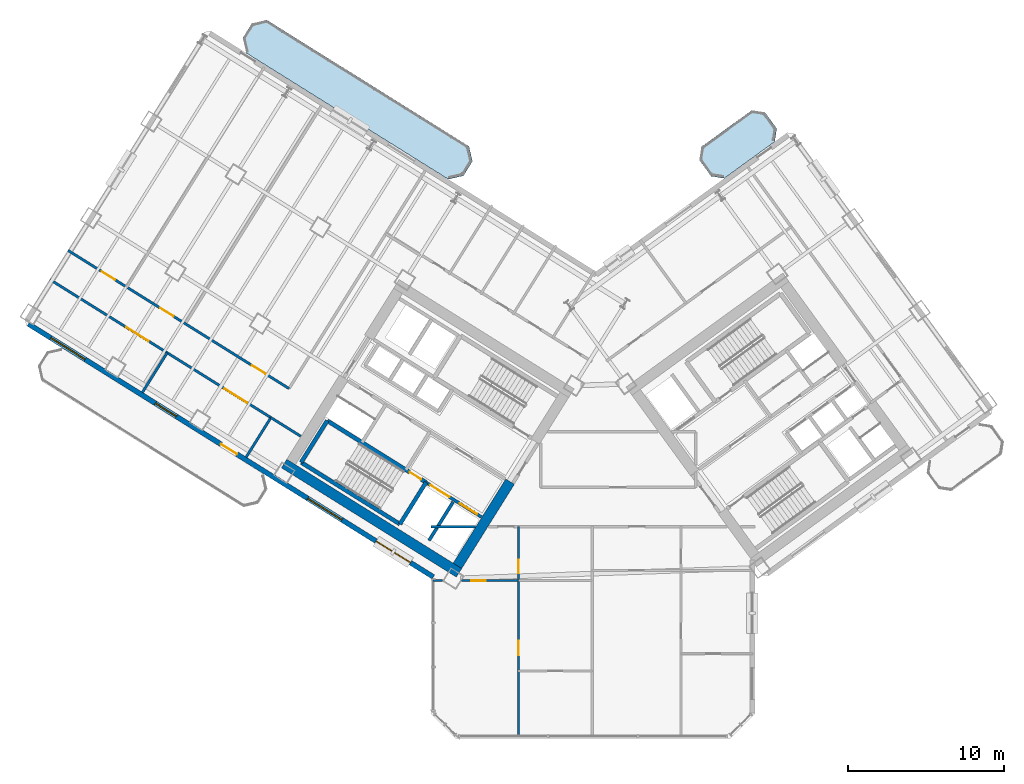
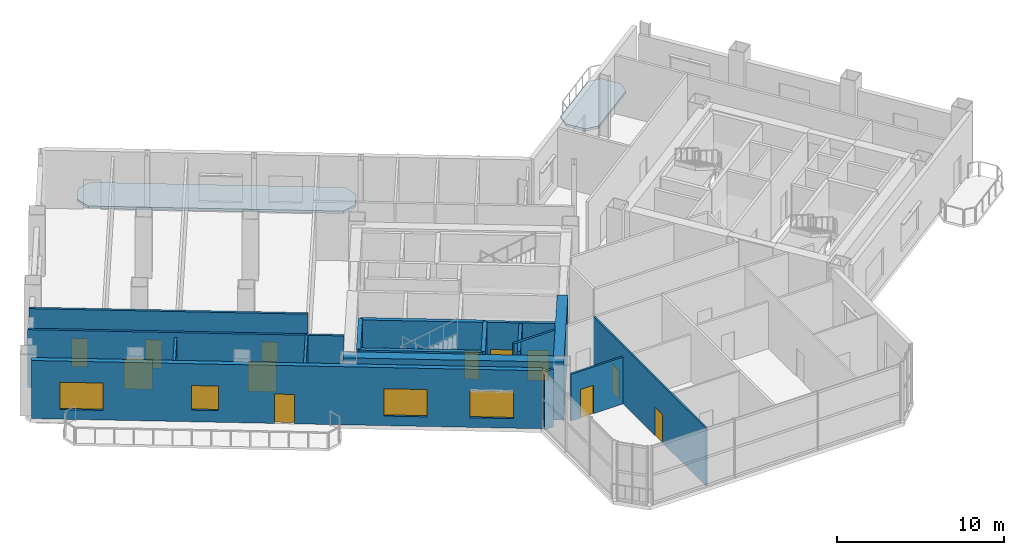
# One storey, part 11 of 19: 18 walls, 12 doors, 4 windows, 2 slabs, 16 openings.
"""IFC4 building model written with IfcOpenShell, lengths in metres."""

from ifc_helpers import new_model, si_unit, direction, frame, frame_2d, origin, place, context, subcontext, project, spatial, polyline, rectangle, outline, extrude, source, transform, mapped, material, layer, layer_set, type_object, element, fill, save


model = new_model("IFC4")

# Units and contexts
model_context = context("Model", 3, precision=1e-05, world=origin(), true_north=direction((0.0, 1.0)))
body_context = subcontext(model_context, "Body", "Model", "MODEL_VIEW")
ifc_project = project(units=[si_unit("LENGTHUNIT", "METRE"), si_unit("AREAUNIT", "SQUARE_METRE"), si_unit("VOLUMEUNIT", "CUBIC_METRE"), si_unit("PLANEANGLEUNIT", "RADIAN"), si_unit("MASSUNIT", "GRAM", prefix="KILO")], contexts=[model_context])

# Site, building, storey
site_placement = place(None, origin())
site = spatial("IfcSite", under=ifc_project, at=site_placement, CompositionType="ELEMENT")
building_placement = place(site_placement, origin())
building = spatial("IfcBuilding", under=site, at=building_placement, Name="Tlacorven Tower", CompositionType="ELEMENT")
storey_placement = place(building_placement, frame((0.0, 0.0, 76.5)))
storey = spatial("IfcBuildingStorey", under=building, at=storey_placement, Name="L19", CompositionType="ELEMENT", Elevation=76.5)

# Slabs
ifc_material_1 = material(Name="Precast concrete C45/55", Category="concrete")
ifc_layer_1 = layer(ifc_material_1, 0.179931640625)
ifc_layer_set_1 = layer_set([ifc_layer_1], Name="Precast concrete C45/55")
slab_type = type_object("IfcSlabType", Name="SL-BAL-180", PredefinedType="USERDEFINED", material=ifc_layer_set_1)
slab_1_placement = place(storey_placement, frame((0.0, 0.0, -0.179931640625)))
element("IfcSlab", 1, at=slab_1_placement, inside=storey, type_object=slab_type, Name="L19 West Wing Balcony Ribbon IN", ObjectType="BALCONY SLAB", PredefinedType="USERDEFINED", context=body_context, shape_type="SweptSolid", body=[
    extrude(outline(polyline([(34.0419921875, 39.835693359375), (21.06689453125, 47.943359375), (20.102294921875, 47.720703125), (19.52197265625, 46.7919921875), (19.744873046875, 45.827392578125), (32.719970703125, 37.7197265625), (33.6845703125, 37.9423828125), (34.2646484375, 38.87109375), (34.0419921875, 39.835693359375)])), origin(), (0.0, 0.0, 1.0), 0.179931640625),
])
slab_2_placement = place(storey_placement, frame((0.0, 0.0, -0.179931640625)))
element("IfcSlab", 2, at=slab_2_placement, inside=storey, type_object=slab_type, Name="L19 East Wing Balcony Ribbon IN", ObjectType="BALCONY SLAB", PredefinedType="USERDEFINED", context=body_context, shape_type="SweptSolid", body=[
    extrude(outline(polyline([(50.433837890625, 37.77880859375), (53.669921875, 40.1298828125), (53.802490234375, 40.968017578125), (53.04150390625, 42.015625), (52.203369140625, 42.1484375), (48.96728515625, 39.79736328125), (48.83447265625, 38.959228515625), (49.595703125, 37.91162109375), (50.433837890625, 37.77880859375)])), origin(), (0.0, 0.0, 1.0), 0.179931640625),
])

# Walls
ifc_material_2 = material(Name="Concrete C60/75", Category="concrete")
ifc_layer_2 = layer(ifc_material_2, 0.64990234375)
ifc_layer_set_2 = layer_set([ifc_layer_2], Name="Concrete C60/75")
wall_type_1 = type_object("IfcWallType", Name="WL-COR-650", PredefinedType="SHEAR", material=ifc_layer_set_2)
wall_1_placement = place(storey_placement, frame((33.40869140625, 12.449951171875, 0.0), z_axis=(0.0, 0.0, 1.0), x_axis=(-0.848051132073, 0.529914405721, 0.0)))
element("IfcWall", 3, at=wall_1_placement, inside=storey, type_object=wall_type_1, Name="L19 W core shear wall S2", PredefinedType="SHEAR", context=body_context, shape_type="SweptSolid", body=[
    extrude(rectangle(XDim=13.239990234375, YDim=0.64990234375, at=frame_2d((6.6201171875, 0.0))), origin(), (0.0, 0.0, 1.0), 4.25),
])
wall_2_placement = place(storey_placement, frame((36.683349609375, 18.30419921875, 0.0), z_axis=(0.0, 0.0, 1.0), x_axis=(-0.529899109053, -0.848060690178, 0.0)))
element("IfcWall", 4, at=wall_2_placement, inside=storey, type_object=wall_type_1, Name="L19 W core end wall E1.2", PredefinedType="SHEAR", context=body_context, shape_type="SweptSolid", body=[
    extrude(rectangle(XDim=6.375244140625, YDim=0.64990234375, at=frame_2d((3.1875, 0.0))), origin(), (0.0, 0.0, 1.0), 4.25),
])
ifc_material_3 = material(Name="Gypsum plasterboard acoustic partition", Category="gypsum")
ifc_layer_3 = layer(ifc_material_3, 0.159912109375)
ifc_layer_set_3 = layer_set([ifc_layer_3], Name="Gypsum plasterboard acoustic partition")
wall_type_2 = type_object("IfcWallType", Name="WL-DEM-160", PredefinedType="PARTITIONING", material=ifc_layer_set_3)
wall_3_placement = place(storey_placement, frame((23.243896484375, 21.218994140625, 0.0), z_axis=(0.0, 0.0, 1.0), x_axis=(-0.848040823168, 0.52993090327, 0.0)))
element("IfcWall", 5, at=wall_3_placement, inside=storey, type_object=wall_type_2, Name="L19 partition 48", PredefinedType="PARTITIONING", context=body_context, shape_type="SweptSolid", body=[
    extrude(rectangle(XDim=2.2578125, YDim=0.159912109375, at=frame_2d((1.12890625, 0.0))), origin(), (0.0, 0.0, 1.0), 4.239990234375),
])
wall_4_placement = place(storey_placement, frame((21.3291015625, 22.41552734375, 0.0), z_axis=(0.0, 0.0, 1.0), x_axis=(-0.529933104572, -0.848039447596, 0.0)))
element("IfcWall", 6, at=wall_4_placement, inside=storey, type_object=wall_type_2, Name="L19 partition 50", PredefinedType="PARTITIONING", context=body_context, shape_type="SweptSolid", body=[
    extrude(rectangle(XDim=3.0, YDim=0.159912109375, at=frame_2d((1.5, 0.0))), origin(), (0.0, 0.0, 1.0), 4.239990234375),
])

# Wall, openings, doors
wall_5_placement = place(storey_placement, frame((22.494873046875, 24.28125, 0.0), z_axis=(0.0, 0.0, 1.0), x_axis=(-0.848052408131, 0.529912363569, 0.0)))
wall_5 = element("IfcWall", 7, at=wall_5_placement, inside=storey, type_object=wall_type_2, Name="L19 Wing W Corridor South Wall", PredefinedType="PARTITIONING", context=body_context, shape_type="SweptSolid", body=[
    extrude(rectangle(XDim=16.72998046875, YDim=0.159912109375, at=frame_2d((8.364990234375, 0.0))), origin(), (0.0, 0.0, 1.0), 4.239990234375),
])
opening_1_placement = place(wall_5_placement, frame((1.800048828125, 0.0, 0.0)))
opening_1 = element("IfcOpeningElement", 8, at=opening_1_placement, cuts=wall_5, Name="Opening D11", PredefinedType="OPENING", context=body_context, shape_type="SweptSolid", body=[
    extrude(rectangle(XDim=1.0, YDim=2.10009765625, at=frame_2d((0.5, 1.050048828125))), frame((0.0, 0.08984375, 0.0), z_axis=(0.0, -1.0, 0.0), x_axis=(1.0, 0.0, 0.0)), (0.0, 0.0, 1.0), 0.179931640625),
])
opening_2_placement = place(wall_5_placement, frame((8.7548828125, 0.0, 0.0)))
opening_2 = element("IfcOpeningElement", 9, at=opening_2_placement, cuts=wall_5, Name="Opening D11", PredefinedType="OPENING", context=body_context, shape_type="SweptSolid", body=[
    extrude(rectangle(XDim=1.0, YDim=2.10009765625, at=frame_2d((0.5, 1.050048828125))), frame((0.0, 0.08984375, 0.0), z_axis=(0.0, -1.0, 0.0), x_axis=(1.0, 0.0, 0.0)), (0.0, 0.0, 1.0), 0.179931640625),
])
opening_3_placement = place(wall_5_placement, frame((13.181884765625, 0.0, 0.0)))
opening_3 = element("IfcOpeningElement", 10, at=opening_3_placement, cuts=wall_5, Name="Opening D11", PredefinedType="OPENING", context=body_context, shape_type="SweptSolid", body=[
    extrude(rectangle(XDim=1.0, YDim=2.10009765625, at=frame_2d((0.5, 1.050048828125))), frame((0.0, 0.08984375, 0.0), z_axis=(0.0, -1.0, 0.0), x_axis=(1.0, 0.0, 0.0)), (0.0, 0.0, 1.0), 0.179931640625),
])
ifc_material_4 = material(Name="Fire-rated steel door assembly", Category="steel")
door_type_1 = type_object("IfcDoorType", Name="DR-FLT-FD60-1000", OperationType="NOTDEFINED", PredefinedType="DOOR", material=ifc_material_4)
shared_shape_1 = source(origin(), body_context, "Body", "SweptSolid", [
    extrude(rectangle(XDim=1.0, YDim=2.10009765625, at=frame_2d((0.5, 1.050048828125))), frame((0.0, 0.02490234375, 0.0), z_axis=(0.0, -1.0, 0.0), x_axis=(1.0, 0.0, 0.0)), (0.0, 0.0, 1.0), 0.050048828125),
])
door_1_placement = place(opening_1_placement, frame((1.0, 0.0, 0.0), z_axis=(0.0, 0.0, 1.0), x_axis=(-1.0, 0.0, 0.0)))
door_1 = element("IfcDoor", 11, at=door_1_placement, inside=storey, type_object=door_type_1, Name="L19 door 022", OperationType="SINGLE_SWING_LEFT", OverallHeight=2.10009765625, OverallWidth=1.0, PredefinedType="DOOR", context=body_context, shape_type="MappedRepresentation", body=[
    mapped(shared_shape_1, transform((0.0, 0.0, 0.0), scale=1.0)),
])
fill(opening_1, door_1)
door_2_placement = place(opening_2_placement, frame((1.0, 0.0, 0.0), z_axis=(0.0, 0.0, 1.0), x_axis=(-1.0, 0.0, 0.0)))
door_2 = element("IfcDoor", 12, at=door_2_placement, inside=storey, type_object=door_type_1, Name="L19 door 023", OperationType="SINGLE_SWING_RIGHT", OverallHeight=2.10009765625, OverallWidth=1.0, PredefinedType="DOOR", context=body_context, shape_type="MappedRepresentation", body=[
    mapped(shared_shape_1, transform((0.0, 0.0, 0.0), scale=1.0)),
])
fill(opening_2, door_2)
door_3_placement = place(opening_3_placement, frame((1.0, 0.0, 0.0), z_axis=(0.0, 0.0, 1.0), x_axis=(-1.0, 0.0, 0.0)))
door_3 = element("IfcDoor", 13, at=door_3_placement, inside=storey, type_object=door_type_1, Name="L19 door 024", OperationType="SINGLE_SWING_LEFT", OverallHeight=2.10009765625, OverallWidth=1.0, PredefinedType="DOOR", context=body_context, shape_type="MappedRepresentation", body=[
    mapped(shared_shape_1, transform((0.0, 0.0, 0.0), scale=1.0)),
])
fill(opening_3, door_3)

wall_6_placement = place(storey_placement, frame((21.3291015625, 22.41552734375, 0.0), z_axis=(0.0, 0.0, 1.0), x_axis=(-0.848052408131, 0.529912363569, 0.0)))
wall_6 = element("IfcWall", 14, at=wall_6_placement, inside=storey, type_object=wall_type_2, Name="L19 Wing W Corridor North Wall", PredefinedType="PARTITIONING", context=body_context, shape_type="SweptSolid", body=[
    extrude(rectangle(XDim=16.72998046875, YDim=0.159912109375, at=frame_2d((8.364990234375, 0.0))), origin(), (0.0, 0.0, 1.0), 4.239990234375),
])
opening_4_placement = place(wall_6_placement, frame((1.800048828125, 0.0, 0.0)))
opening_4 = element("IfcOpeningElement", 15, at=opening_4_placement, cuts=wall_6, Name="Opening D17", PredefinedType="OPENING", context=body_context, shape_type="SweptSolid", body=[
    extrude(rectangle(XDim=1.699951171875, YDim=2.199951171875, at=frame_2d((0.85009765625, 1.10009765625))), frame((0.0, 0.08984375, 0.0), z_axis=(0.0, -1.0, 0.0), x_axis=(1.0, 0.0, 0.0)), (0.0, 0.0, 1.0), 0.179931640625),
])
opening_5_placement = place(wall_6_placement, frame((9.2548828125, 0.0, 0.0)))
opening_5 = element("IfcOpeningElement", 16, at=opening_5_placement, cuts=wall_6, Name="Opening D17", PredefinedType="OPENING", context=body_context, shape_type="SweptSolid", body=[
    extrude(rectangle(XDim=1.699951171875, YDim=2.199951171875, at=frame_2d((0.85009765625, 1.10009765625))), frame((0.0, 0.08984375, 0.0), z_axis=(0.0, -1.0, 0.0), x_axis=(1.0, 0.0, 0.0)), (0.0, 0.0, 1.0), 0.179931640625),
])
door_type_2 = type_object("IfcDoorType", Name="DR-COM-HALL-1700", OperationType="DOUBLE_DOOR_SINGLE_SWING", PredefinedType="DOOR", material=ifc_material_4)
shared_shape_2 = source(origin(), body_context, "Body", "SweptSolid", [
    extrude(rectangle(XDim=1.699951171875, YDim=2.199951171875, at=frame_2d((0.85009765625, 1.10009765625))), frame((0.0, 0.02490234375, 0.0), z_axis=(0.0, -1.0, 0.0), x_axis=(1.0, 0.0, 0.0)), (0.0, 0.0, 1.0), 0.050048828125),
])
door_4_placement = place(opening_4_placement, origin())
door_4 = element("IfcDoor", 17, at=door_4_placement, inside=storey, type_object=door_type_2, Name="L19 door 020", OperationType="DOUBLE_DOOR_SINGLE_SWING", OverallHeight=2.199951171875, OverallWidth=1.699951171875, PredefinedType="DOOR", context=body_context, shape_type="MappedRepresentation", body=[
    mapped(shared_shape_2, transform((0.0, 0.0, 0.0), scale=1.0)),
])
fill(opening_4, door_4)
door_5_placement = place(opening_5_placement, origin())
door_5 = element("IfcDoor", 18, at=door_5_placement, inside=storey, type_object=door_type_2, Name="L19 door 021", OperationType="DOUBLE_DOOR_SINGLE_SWING", OverallHeight=2.199951171875, OverallWidth=1.699951171875, PredefinedType="DOOR", context=body_context, shape_type="MappedRepresentation", body=[
    mapped(shared_shape_2, transform((0.0, 0.0, 0.0), scale=1.0)),
])
fill(opening_5, door_5)

# Walls
wall_7_placement = place(storey_placement, frame((14.66748046875, 26.577880859375, 0.0), z_axis=(0.0, 0.0, 1.0), x_axis=(-0.529911148873, -0.848053167142, 0.0)))
element("IfcWall", 19, at=wall_7_placement, inside=storey, type_object=wall_type_2, Name="L19 partition 53", PredefinedType="PARTITIONING", context=body_context, shape_type="SweptSolid", body=[
    extrude(rectangle(XDim=2.999755859375, YDim=0.159912109375, at=frame_2d((1.5, 0.0))), origin(), (0.0, 0.0, 1.0), 3.89501953125),
])
wall_8_placement = place(storey_placement, frame((31.60009765625, 15.419921875, 0.0), z_axis=(0.0, 0.0, 1.0), x_axis=(1.0, 0.0, 0.0)))
element("IfcWall", 20, at=wall_8_placement, inside=storey, type_object=wall_type_2, Name="L19 Knuckle Corridor South Wall", PredefinedType="PARTITIONING", context=body_context, shape_type="SweptSolid", body=[
    extrude(rectangle(XDim=2.8662109375, YDim=0.159912109375, at=frame_2d((1.43310546875, 0.0))), origin(), (0.0, 0.0, 1.0), 4.239990234375),
])

# Wall, openings, door, windows
ifc_layer_4 = layer(ifc_material_1, 0.320068359375)
ifc_layer_set_4 = layer_set([ifc_layer_4], Name="Precast concrete C45/55")
wall_type_3 = type_object("IfcWallType", Name="WL-EXT-320", PredefinedType="STANDARD", material=ifc_layer_set_4)
wall_9_placement = place(storey_placement, frame((31.760009765625, 12.18310546875, 0.0), z_axis=(0.0, 0.0, 1.0), x_axis=(-0.848047074256, 0.529920899612, 0.0)))
wall_9 = element("IfcWall", 21, at=wall_9_placement, inside=storey, type_object=wall_type_3, Name="L19 Masonry-Frame Recessed Facade Wall 1", PredefinedType="STANDARD", context=body_context, shape_type="SweptSolid", body=[
    extrude(rectangle(XDim=30.652099609375, YDim=0.320068359375, at=frame_2d((15.326171875, 0.0))), origin(), (0.0, 0.0, 1.0), 4.25),
])
opening_6_placement = place(wall_9_placement, frame((14.87841796875, 0.0, 0.0)))
opening_6 = element("IfcOpeningElement", 22, at=opening_6_placement, cuts=wall_9, Name="Opening D05", PredefinedType="OPENING", context=body_context, shape_type="SweptSolid", body=[
    extrude(rectangle(XDim=1.199951171875, YDim=2.14990234375, at=frame_2d((0.60009765625, 1.074951171875))), frame((0.0, 0.169921875, 0.0), z_axis=(0.0, -1.0, 0.0), x_axis=(1.0, 0.0, 0.0)), (0.0, 0.0, 1.0), 0.340087890625),
])
opening_7_placement = place(wall_9_placement, frame((1.739501953125, 0.0, 0.699951171875)))
opening_7 = element("IfcOpeningElement", 23, at=opening_7_placement, cuts=wall_9, Name="Opening WN10", PredefinedType="OPENING", context=body_context, shape_type="SweptSolid", body=[
    extrude(rectangle(XDim=2.60009765625, YDim=2.0, at=frame_2d((1.300048828125, 1.0))), frame((0.0, 0.169921875, 0.0), z_axis=(0.0, -1.0, 0.0), x_axis=(1.0, 0.0, 0.0)), (0.0, 0.0, 1.0), 0.340087890625),
])
opening_8_placement = place(wall_9_placement, frame((6.918701171875, 0.0, 0.699951171875)))
opening_8 = element("IfcOpeningElement", 24, at=opening_8_placement, cuts=wall_9, Name="Opening WN10", PredefinedType="OPENING", context=body_context, shape_type="SweptSolid", body=[
    extrude(rectangle(XDim=2.60009765625, YDim=2.0, at=frame_2d((1.300048828125, 1.0))), frame((0.0, 0.169921875, 0.0), z_axis=(0.0, -1.0, 0.0), x_axis=(1.0, 0.0, 0.0)), (0.0, 0.0, 1.0), 0.340087890625),
])
opening_9_placement = place(wall_9_placement, frame((19.45068359375, 0.0, 0.85009765625)))
opening_9 = element("IfcOpeningElement", 25, at=opening_9_placement, cuts=wall_9, Name="Opening WN12", PredefinedType="OPENING", context=body_context, shape_type="SweptSolid", body=[
    extrude(rectangle(XDim=1.60009765625, YDim=1.800048828125, at=frame_2d((0.800048828125, 0.89990234375))), frame((0.0, 0.169921875, 0.0), z_axis=(0.0, -1.0, 0.0), x_axis=(1.0, 0.0, 0.0)), (0.0, 0.0, 1.0), 0.340087890625),
])
opening_10_placement = place(wall_9_placement, frame((26.3583984375, 0.0, 0.699951171875)))
opening_10 = element("IfcOpeningElement", 26, at=opening_10_placement, cuts=wall_9, Name="Opening WN10", PredefinedType="OPENING", context=body_context, shape_type="SweptSolid", body=[
    extrude(rectangle(XDim=2.60009765625, YDim=2.0, at=frame_2d((1.300048828125, 1.0))), frame((0.0, 0.169921875, 0.0), z_axis=(0.0, -1.0, 0.0), x_axis=(1.0, 0.0, 0.0)), (0.0, 0.0, 1.0), 0.340087890625),
])
ifc_material_5 = material(Name="Powder-coated aluminium and timber door", Category="wood")
door_type_3 = type_object("IfcDoorType", Name="DR-EXT-BALC-1200", OperationType="NOTDEFINED", PredefinedType="DOOR", material=ifc_material_5)
shared_shape_3 = source(origin(), body_context, "Body", "SweptSolid", [
    extrude(rectangle(XDim=1.199951171875, YDim=2.14990234375, at=frame_2d((0.60009765625, 1.074951171875))), frame((0.0, 0.02490234375, 0.0), z_axis=(0.0, -1.0, 0.0), x_axis=(1.0, 0.0, 0.0)), (0.0, 0.0, 1.0), 0.050048828125),
])
door_6_placement = place(opening_6_placement, origin())
door_6 = element("IfcDoor", 27, at=door_6_placement, inside=storey, type_object=door_type_3, Name="L19 Outdoor Access Door BAL-L19-W-OUT", OperationType="SINGLE_SWING_LEFT", OverallHeight=2.14990234375, OverallWidth=1.199951171875, PredefinedType="DOOR", context=body_context, shape_type="MappedRepresentation", body=[
    mapped(shared_shape_3, transform((0.0, 0.0, 0.0), scale=1.0)),
])
fill(opening_6, door_6)
ifc_material_6 = material(Name="Dark solar low-E double glazing in anodised aluminium frame", Category="aluminium")
window_type_1 = type_object("IfcWindowType", Name="WN-COM-2600X2200", PartitioningType="SINGLE_PANEL", PredefinedType="WINDOW", material=ifc_material_6)
shared_shape_4 = source(origin(), body_context, "Body", "SweptSolid", [
    extrude(rectangle(XDim=2.60009765625, YDim=2.0, at=frame_2d((1.300048828125, 1.0))), frame((0.0, 0.030029296875, 0.0), z_axis=(0.0, -1.0, 0.0), x_axis=(1.0, 0.0, 0.0)), (0.0, 0.0, 1.0), 0.06005859375),
])
window_1_placement = place(opening_7_placement, origin())
window_1 = element("IfcWindow", 28, at=window_1_placement, inside=storey, type_object=window_type_1, Name="L19 Recessed Masonry-Frame Window L19-01.1", OverallHeight=2.0, OverallWidth=2.60009765625, PartitioningType="SINGLE_PANEL", PredefinedType="WINDOW", context=body_context, shape_type="MappedRepresentation", body=[
    mapped(shared_shape_4, transform((0.0, 0.0, 0.0), scale=1.0)),
])
fill(opening_7, window_1)
window_2_placement = place(opening_8_placement, origin())
window_2 = element("IfcWindow", 29, at=window_2_placement, inside=storey, type_object=window_type_1, Name="L19 Recessed Masonry-Frame Window L19-01.2", OverallHeight=2.0, OverallWidth=2.60009765625, PartitioningType="SINGLE_PANEL", PredefinedType="WINDOW", context=body_context, shape_type="MappedRepresentation", body=[
    mapped(shared_shape_4, transform((0.0, 0.0, 0.0), scale=1.0)),
])
fill(opening_8, window_2)
window_3_placement = place(opening_10_placement, origin())
window_3 = element("IfcWindow", 30, at=window_3_placement, inside=storey, type_object=window_type_1, Name="L19 Recessed Masonry-Frame Window L19-01.4", OverallHeight=2.0, OverallWidth=2.60009765625, PartitioningType="SINGLE_PANEL", PredefinedType="WINDOW", context=body_context, shape_type="MappedRepresentation", body=[
    mapped(shared_shape_4, transform((0.0, 0.0, 0.0), scale=1.0)),
])
fill(opening_10, window_3)
window_type_2 = type_object("IfcWindowType", Name="WN-COM-1600X1900", PartitioningType="SINGLE_PANEL", PredefinedType="WINDOW", material=ifc_material_6)
shared_shape_5 = source(origin(), body_context, "Body", "SweptSolid", [
    extrude(rectangle(XDim=1.60009765625, YDim=1.800048828125, at=frame_2d((0.800048828125, 0.89990234375))), frame((0.0, 0.030029296875, 0.0), z_axis=(0.0, -1.0, 0.0), x_axis=(1.0, 0.0, 0.0)), (0.0, 0.0, 1.0), 0.06005859375),
])
window_4_placement = place(opening_9_placement, origin())
window_4 = element("IfcWindow", 31, at=window_4_placement, inside=storey, type_object=window_type_2, Name="L19 Recessed Masonry-Frame Window L19-01.3", OverallHeight=1.800048828125, OverallWidth=1.60009765625, PartitioningType="SINGLE_PANEL", PredefinedType="WINDOW", context=body_context, shape_type="MappedRepresentation", body=[
    mapped(shared_shape_5, transform((0.0, 0.0, 0.0), scale=1.0)),
])
fill(opening_9, window_4)

# Wall, openings, doors
ifc_material_7 = material(Name="Gypsum plasterboard partition", Category="gypsum")
ifc_layer_5 = layer(ifc_material_7, 0.110107421875)
ifc_layer_set_5 = layer_set([ifc_layer_5], Name="Gypsum plasterboard partition")
wall_type_4 = type_object("IfcWallType", Name="WL-INT-110", PredefinedType="PARTITIONING", material=ifc_layer_set_5)
wall_10_placement = place(storey_placement, frame((37.221923828125, 1.9599609375, 0.0), z_axis=(0.0, 0.0, 1.0), x_axis=(0.0, 1.0, 0.0)))
wall_10 = element("IfcWall", 32, at=wall_10_placement, inside=storey, type_object=wall_type_4, Name="L19 partition 70", PredefinedType="PARTITIONING", context=body_context, shape_type="SweptSolid", body=[
    extrude(rectangle(XDim=13.4599609375, YDim=0.110107421875, at=frame_2d((6.72998046875, 0.0))), origin(), (0.0, 0.0, 1.0), 4.239990234375),
])
opening_11_placement = place(wall_10_placement, frame((5.199951171875, 0.0, 0.0)))
opening_11 = element("IfcOpeningElement", 33, at=opening_11_placement, cuts=wall_10, Name="Opening D12", PredefinedType="OPENING", context=body_context, shape_type="SweptSolid", body=[
    extrude(rectangle(XDim=0.919921875, YDim=2.080078125, at=frame_2d((0.4599609375, 1.0400390625))), frame((0.0, 0.06494140625, 0.0), z_axis=(0.0, -1.0, 0.0), x_axis=(1.0, 0.0, 0.0)), (0.0, 0.0, 1.0), 0.130126953125),
])
opening_12_placement = place(wall_10_placement, frame((10.449951171875, 0.0, 0.0)))
opening_12 = element("IfcOpeningElement", 34, at=opening_12_placement, cuts=wall_10, Name="Opening D13", PredefinedType="OPENING", context=body_context, shape_type="SweptSolid", body=[
    extrude(rectangle(XDim=0.8798828125, YDim=2.080078125, at=frame_2d((0.43994140625, 1.0400390625))), frame((0.0, 0.06494140625, 0.0), z_axis=(0.0, -1.0, 0.0), x_axis=(1.0, 0.0, 0.0)), (0.0, 0.0, 1.0), 0.130126953125),
])
door_type_4 = type_object("IfcDoorType", Name="DR-INT-WET-0880", OperationType="NOTDEFINED", PredefinedType="DOOR", material=ifc_material_5)
shared_shape_6 = source(origin(), body_context, "Body", "SweptSolid", [
    extrude(rectangle(XDim=0.8798828125, YDim=2.080078125, at=frame_2d((0.43994140625, 1.0400390625))), frame((0.0, 0.02490234375, 0.0), z_axis=(0.0, -1.0, 0.0), x_axis=(1.0, 0.0, 0.0)), (0.0, 0.0, 1.0), 0.050048828125),
])
door_7_placement = place(opening_12_placement, origin())
door_7 = element("IfcDoor", 35, at=door_7_placement, inside=storey, type_object=door_type_4, Name="L19 door 037", OperationType="SINGLE_SWING_RIGHT", OverallHeight=2.080078125, OverallWidth=0.8798828125, PredefinedType="DOOR", context=body_context, shape_type="MappedRepresentation", body=[
    mapped(shared_shape_6, transform((0.0, 0.0, 0.0), scale=1.0)),
])
fill(opening_12, door_7)
door_type_5 = type_object("IfcDoorType", Name="DR-INT-ROOM-0920", OperationType="NOTDEFINED", PredefinedType="DOOR", material=ifc_material_5)
shared_shape_7 = source(origin(), body_context, "Body", "SweptSolid", [
    extrude(rectangle(XDim=0.919921875, YDim=2.080078125, at=frame_2d((0.4599609375, 1.0400390625))), frame((0.0, 0.02490234375, 0.0), z_axis=(0.0, -1.0, 0.0), x_axis=(1.0, 0.0, 0.0)), (0.0, 0.0, 1.0), 0.050048828125),
])
door_8_placement = place(opening_11_placement, origin())
door_8 = element("IfcDoor", 36, at=door_8_placement, inside=storey, type_object=door_type_5, Name="L19 door 033", OperationType="SINGLE_SWING_RIGHT", OverallHeight=2.080078125, OverallWidth=0.919921875, PredefinedType="DOOR", context=body_context, shape_type="MappedRepresentation", body=[
    mapped(shared_shape_7, transform((0.0, 0.0, 0.0), scale=1.0)),
])
fill(opening_11, door_8)

# Wall
ifc_material_8 = material(Name="Moisture-resistant gypsum plumbing wall", Category="gypsum")
ifc_layer_6 = layer(ifc_material_8, 0.139892578125)
ifc_layer_set_6 = layer_set([ifc_layer_6], Name="Moisture-resistant gypsum plumbing wall")
wall_type_5 = type_object("IfcWallType", Name="WL-PLM-140", PredefinedType="PLUMBINGWALL", material=ifc_layer_set_6)
wall_11_placement = place(storey_placement, frame((31.739990234375, 11.949951171875, 0.0), z_axis=(0.0, 0.0, 1.0), x_axis=(1.0, 0.0, 0.0)))
element("IfcWall", 37, at=wall_11_placement, inside=storey, type_object=wall_type_5, Name="L19 partition 71", PredefinedType="PLUMBINGWALL", context=body_context, shape_type="SweptSolid", body=[
    extrude(rectangle(XDim=0.616943359375, YDim=0.139892578125, at=frame_2d((0.30859375, 0.0))), origin(), (0.0, 0.0, 1.0), 4.239990234375),
])

# Wall, opening, door
wall_12_placement = place(storey_placement, frame((33.564453125, 11.949951171875, 0.0), z_axis=(0.0, 0.0, 1.0), x_axis=(1.0, 0.0, 0.0)))
wall_12 = element("IfcWall", 38, at=wall_12_placement, inside=storey, type_object=wall_type_5, Name="L19 partition 71", PredefinedType="PLUMBINGWALL", context=body_context, shape_type="SweptSolid", body=[
    extrude(rectangle(XDim=3.657470703125, YDim=0.139892578125, at=frame_2d((1.82861328125, 0.0))), origin(), (0.0, 0.0, 1.0), 3.425048828125),
])
opening_13_placement = place(wall_12_placement, frame((0.63671875, 0.0, 0.0)))
opening_13 = element("IfcOpeningElement", 39, at=opening_13_placement, cuts=wall_12, Name="Opening D12", PredefinedType="OPENING", context=body_context, shape_type="SweptSolid", body=[
    extrude(rectangle(XDim=0.919921875, YDim=2.080078125, at=frame_2d((0.4599609375, 1.0400390625))), frame((0.0, 0.080078125, 0.0), z_axis=(0.0, -1.0, 0.0), x_axis=(1.0, 0.0, 0.0)), (0.0, 0.0, 1.0), 0.159912109375),
])
door_9_placement = place(opening_13_placement, frame((0.919921875, 0.0, 0.0), z_axis=(0.0, 0.0, 1.0), x_axis=(-1.0, 0.0, 0.0)))
door_9 = element("IfcDoor", 40, at=door_9_placement, inside=storey, type_object=door_type_5, Name="L19 door 036", OperationType="SINGLE_SWING_RIGHT", OverallHeight=2.080078125, OverallWidth=0.919921875, PredefinedType="DOOR", context=body_context, shape_type="MappedRepresentation", body=[
    mapped(shared_shape_7, transform((0.0, 0.0, 0.0), scale=1.0)),
])
fill(opening_13, door_9)

# Wall, openings, doors
ifc_material_9 = material(Name="Concrete C40/50", Category="concrete")
ifc_layer_7 = layer(ifc_material_9, 0.199951171875)
ifc_layer_set_7 = layer_set([ifc_layer_7], Name="Concrete C40/50")
wall_type_6 = type_object("IfcWallType", Name="WL-SHF-200", PredefinedType="STANDARD", material=ifc_layer_set_7)
wall_13_placement = place(storey_placement, frame((34.84814453125, 16.03125, 0.0), z_axis=(0.0, 0.0, 1.0), x_axis=(-0.848044042236, 0.529925751807, 0.0)))
wall_13 = element("IfcWall", 41, at=wall_13_placement, inside=storey, type_object=wall_type_6, Name="L19 Core W Firefighting Lift Shaft Front Wall", PredefinedType="STANDARD", context=body_context, shape_type="SweptSolid", body=[
    extrude(rectangle(XDim=4.197998046875, YDim=0.199951171875, at=frame_2d((2.09912109375, 0.0))), origin(), (0.0, 0.0, 1.0), 4.239990234375),
])
opening_14_placement = place(wall_13_placement, frame((0.347900390625, 0.0, 0.0)))
opening_14 = element("IfcOpeningElement", 42, at=opening_14_placement, cuts=wall_13, Name="Opening LD03", PredefinedType="OPENING", context=body_context, shape_type="SweptSolid", body=[
    extrude(rectangle(XDim=1.300048828125, YDim=2.199951171875, at=frame_2d((0.64990234375, 1.10009765625))), frame((0.0, 0.10986328125, 0.0), z_axis=(0.0, -1.0, 0.0), x_axis=(1.0, 0.0, 0.0)), (0.0, 0.0, 1.0), 0.219970703125),
])
opening_15_placement = place(wall_13_placement, frame((2.423095703125, 0.0, 0.0)))
opening_15 = element("IfcOpeningElement", 43, at=opening_15_placement, cuts=wall_13, Name="Opening LD04", PredefinedType="OPENING", context=body_context, shape_type="SweptSolid", body=[
    extrude(rectangle(XDim=1.449951171875, YDim=2.25, at=frame_2d((0.72509765625, 1.125))), frame((0.0, 0.10986328125, 0.0), z_axis=(0.0, -1.0, 0.0), x_axis=(1.0, 0.0, 0.0)), (0.0, 0.0, 1.0), 0.219970703125),
])
door_type_6 = type_object("IfcDoorType", Name="DR-LFT-SLID-1300", OperationType="DOUBLE_DOOR_SLIDING", PredefinedType="DOOR", material=ifc_material_4)
shared_shape_8 = source(origin(), body_context, "Body", "SweptSolid", [
    extrude(rectangle(XDim=1.300048828125, YDim=2.199951171875, at=frame_2d((0.64990234375, 1.10009765625))), frame((0.0, 0.02490234375, 0.0), z_axis=(0.0, -1.0, 0.0), x_axis=(1.0, 0.0, 0.0)), (0.0, 0.0, 1.0), 0.050048828125),
])
door_10_placement = place(opening_14_placement, origin())
door_10 = element("IfcDoor", 44, at=door_10_placement, inside=storey, type_object=door_type_6, Name="L19 Lift FFL-W1 Sliding Landing Door", OperationType="DOUBLE_DOOR_SLIDING", OverallHeight=2.199951171875, OverallWidth=1.300048828125, PredefinedType="DOOR", context=body_context, shape_type="MappedRepresentation", body=[
    mapped(shared_shape_8, transform((0.0, 0.0, 0.0), scale=1.0)),
])
fill(opening_14, door_10)
door_type_7 = type_object("IfcDoorType", Name="DR-LFT-SLID-1450", OperationType="DOUBLE_DOOR_SLIDING", PredefinedType="DOOR", material=ifc_material_4)
shared_shape_9 = source(origin(), body_context, "Body", "SweptSolid", [
    extrude(rectangle(XDim=1.449951171875, YDim=2.25, at=frame_2d((0.72509765625, 1.125))), frame((0.0, 0.02490234375, 0.0), z_axis=(0.0, -1.0, 0.0), x_axis=(1.0, 0.0, 0.0)), (0.0, 0.0, 1.0), 0.050048828125),
])
door_11_placement = place(opening_15_placement, origin())
door_11 = element("IfcDoor", 45, at=door_11_placement, inside=storey, type_object=door_type_7, Name="L19 Lift SVL-W1 Sliding Landing Door", OperationType="DOUBLE_DOOR_SLIDING", OverallHeight=2.25, OverallWidth=1.449951171875, PredefinedType="DOOR", context=body_context, shape_type="MappedRepresentation", body=[
    mapped(shared_shape_9, transform((0.0, 0.0, 0.0), scale=1.0)),
])
fill(opening_15, door_11)

# Walls
wall_14_placement = place(storey_placement, frame((33.02880859375, 17.003173828125, 0.0), z_axis=(0.0, 0.0, 1.0), x_axis=(-0.529916267533, -0.848049968695, 0.0)))
element("IfcWall", 46, at=wall_14_placement, inside=storey, type_object=wall_type_6, Name="L19 partition 14", PredefinedType="STANDARD", context=body_context, shape_type="SweptSolid", body=[
    extrude(rectangle(XDim=2.919921875, YDim=0.199951171875, at=frame_2d((1.4599609375, 0.0))), origin(), (0.0, 0.0, 1.0), 4.239990234375),
])
ifc_material_10 = material(Name="Concrete C50/60", Category="concrete")
ifc_layer_8 = layer(ifc_material_10, 0.260009765625)
ifc_layer_set_8 = layer_set([ifc_layer_8], Name="Concrete C50/60")
wall_type_7 = type_object("IfcWallType", Name="WL-STW-260", PredefinedType="SHEAR", material=ifc_layer_set_8)
wall_15_placement = place(storey_placement, frame((29.60498046875, 15.581298828125, 0.0), z_axis=(0.0, 0.0, 1.0), x_axis=(-0.848036911448, 0.529937163087, 0.0)))
element("IfcWall", 47, at=wall_15_placement, inside=storey, type_object=wall_type_7, Name="L19 Stair W1 Far Shear Wall", PredefinedType="SHEAR", context=body_context, shape_type="SweptSolid", body=[
    extrude(rectangle(XDim=7.4599609375, YDim=0.260009765625, at=frame_2d((3.72998046875, 0.0))), origin(), (0.0, 0.0, 1.0), 4.25),
])

# Wall, opening, door
wall_16_placement = place(storey_placement, frame((31.279541015625, 18.26123046875, 0.0), z_axis=(0.0, 0.0, 1.0), x_axis=(-0.848051618787, 0.529913626805, 0.0)))
wall_16 = element("IfcWall", 48, at=wall_16_placement, inside=storey, type_object=wall_type_7, Name="L19 Stair W1 Lobby Shear Wall", PredefinedType="SHEAR", context=body_context, shape_type="SweptSolid", body=[
    extrude(rectangle(XDim=7.4599609375, YDim=0.260009765625, at=frame_2d((3.72998046875, 0.0))), origin(), (0.0, 0.0, 1.0), 4.25),
])
opening_16_placement = place(wall_16_placement, frame((0.360107421875, 0.0, 0.0)))
opening_16 = element("IfcOpeningElement", 49, at=opening_16_placement, cuts=wall_16, Name="Opening D19", PredefinedType="OPENING", context=body_context, shape_type="SweptSolid", body=[
    extrude(rectangle(XDim=0.860107421875, YDim=2.050048828125, at=frame_2d((0.43017578125, 1.02490234375))), frame((0.0, 0.14013671875, 0.0), z_axis=(0.0, -1.0, 0.0), x_axis=(1.0, 0.0, 0.0)), (0.0, 0.0, 1.0), 0.280029296875),
])
door_type_8 = type_object("IfcDoorType", Name="DR-RSR-FD60-0860", OperationType="NOTDEFINED", PredefinedType="DOOR", material=ifc_material_4)
shared_shape_10 = source(origin(), body_context, "Body", "SweptSolid", [
    extrude(rectangle(XDim=0.860107421875, YDim=2.050048828125, at=frame_2d((0.43017578125, 1.02490234375))), frame((0.0, 0.02490234375, 0.0), z_axis=(0.0, -1.0, 0.0), x_axis=(1.0, 0.0, 0.0)), (0.0, 0.0, 1.0), 0.050048828125),
])
door_12_placement = place(opening_16_placement, frame((0.860107421875, 0.0, 0.0), z_axis=(0.0, 0.0, 1.0), x_axis=(-1.0, 0.0, 0.0)))
door_12 = element("IfcDoor", 50, at=door_12_placement, inside=storey, type_object=door_type_8, Name="L19 Exit Stair W1 Fire Door", OperationType="SINGLE_SWING_LEFT", OverallHeight=2.050048828125, OverallWidth=0.860107421875, PredefinedType="DOOR", context=body_context, shape_type="MappedRepresentation", body=[
    mapped(shared_shape_10, transform((0.0, 0.0, 0.0), scale=1.0)),
])
fill(opening_16, door_12)

# Walls
wall_17_placement = place(storey_placement, frame((31.2880859375, 18.255859375, 0.0), z_axis=(0.0, 0.0, 1.0), x_axis=(-0.529943379326, -0.848033026897, 0.0)))
element("IfcWall", 51, at=wall_17_placement, inside=storey, type_object=wall_type_7, Name="L19 Stair W1 West Shear Wall", PredefinedType="SHEAR", context=body_context, shape_type="SweptSolid", body=[
    extrude(rectangle(XDim=3.159912109375, YDim=0.260009765625, at=frame_2d((1.580078125, 0.0))), origin(), (0.0, 0.0, 1.0), 4.25),
])
wall_18_placement = place(storey_placement, frame((24.944580078125, 22.2197265625, 0.0), z_axis=(0.0, 0.0, 1.0), x_axis=(-0.529908658664, -0.84805472316, 0.0)))
element("IfcWall", 52, at=wall_18_placement, inside=storey, type_object=wall_type_7, Name="L19 Stair W1 East Shear Wall", PredefinedType="SHEAR", context=body_context, shape_type="SweptSolid", body=[
    extrude(rectangle(XDim=3.16015625, YDim=0.260009765625, at=frame_2d((1.580078125, 0.0))), origin(), (0.0, 0.0, 1.0), 4.25),
])

save(model, "model.ifc")
